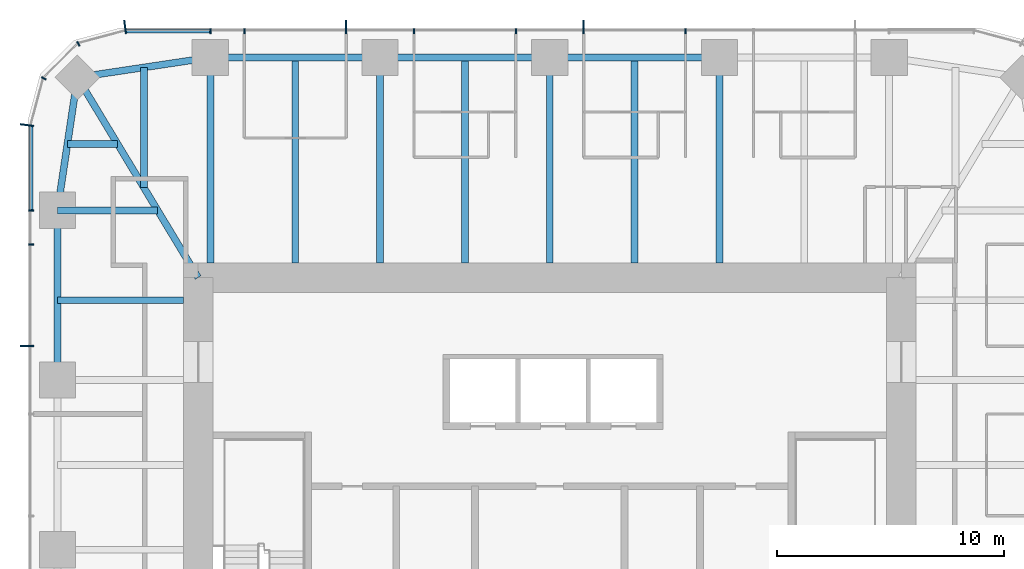
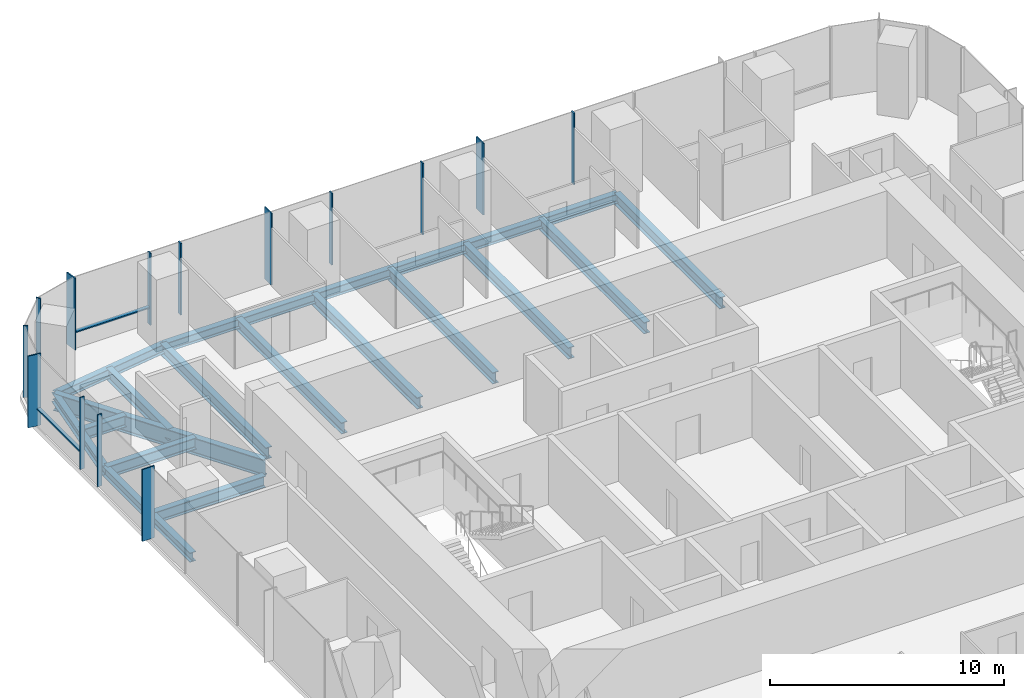
# One storey, part 5 of 12: 18 beams, 16 members, 3 elements without a shape of their own.
"""IFC4 building model written with IfcOpenShell, lengths in metres."""

from ifc_helpers import new_model, si_unit, direction, frame, origin, origin_2d, place, context, subcontext, project, spatial, rectangle, i_section, extrude, material, material_profile, profile_set, type_object, element, aggregate, save


model = new_model("IFC4")

# Units and contexts
model_context = context("Model", 3, precision=1e-05, world=origin(), true_north=direction((0.0, 1.0)))
body_context = subcontext(model_context, "Body", "Model", "MODEL_VIEW")
ifc_project = project(units=[si_unit("LENGTHUNIT", "METRE"), si_unit("AREAUNIT", "SQUARE_METRE"), si_unit("VOLUMEUNIT", "CUBIC_METRE"), si_unit("PLANEANGLEUNIT", "RADIAN"), si_unit("MASSUNIT", "GRAM", prefix="KILO")], contexts=[model_context])

# Site, building, storey
site_placement = place(None, origin())
site = spatial("IfcSite", under=ifc_project, at=site_placement, CompositionType="ELEMENT")
building_placement = place(site_placement, origin())
building = spatial("IfcBuilding", under=site, at=building_placement, Name="Khuree Lantern Residences", CompositionType="ELEMENT")
storey_placement = place(building_placement, frame((0.0, 0.0, 342.0)))
storey = spatial("IfcBuildingStorey", under=building, at=storey_placement, Name="L86", CompositionType="ELEMENT", Elevation=342.0)

# Beams
ifc_material_1 = material(Name="Steel S355", Category="steel")
ifc_material_profile_1 = material_profile(ifc_material_1, i_section(OverallWidth=0.300048828125, OverallDepth=0.590087890625, WebThickness=0.012939453125, FlangeThickness=0.02490234375, FilletRadius=0.027099609375, at=origin_2d()), Name="HE 600 A")
ifc_profile_set_1 = profile_set([ifc_material_profile_1], Name="Steel S355")
beam_type_1 = type_object("IfcBeamType", Name="B-45 SECONDARY BEAM HE 600 A", PredefinedType="BEAM", material=ifc_profile_set_1)
for number, where, z_axis, x_axis, name in (
    (1, (-11.219970703125, 21.699951171875, -0.544921875), (0.0, -1.0, 0.0), (1.0, 0.0, 0.0), "Secondary beam N1"),
    (2, (-3.739990234375, 21.699951171875, -0.544921875), (0.0, -1.0, 0.0), (1.0, 0.0, 0.0), "Secondary beam N2"),
    (3, (3.739990234375, 21.699951171875, -0.544921875), (0.0, -1.0, 0.0), (1.0, 0.0, 0.0), "Secondary beam N3"),
):
    element("IfcBeam", number, at=place(storey_placement, frame(where, z_axis=z_axis, x_axis=x_axis)), inside=storey, type_object=beam_type_1, Name=name, PredefinedType="BEAM", context=body_context, shape_type="SweptSolid", body=[
        extrude(i_section(OverallWidth=0.300048828125, OverallDepth=0.590087890625, WebThickness=0.012939453125, FlangeThickness=0.02490234375, FilletRadius=0.027099609375, at=origin_2d()), origin(), (0.0, 0.0, 1.0), 9.050048828125),
    ])
beam_1_placement = place(storey_placement, frame((-21.699951171875, 11.0, -0.544921875), z_axis=(1.0, 0.0, 0.0), x_axis=(0.0, 1.0, 0.0)))
element("IfcBeam", 4, at=beam_1_placement, inside=storey, type_object=beam_type_1, Name="Secondary beam W5", PredefinedType="BEAM", context=body_context, shape_type="SweptSolid", body=[
    extrude(i_section(OverallWidth=0.300048828125, OverallDepth=0.590087890625, WebThickness=0.012939453125, FlangeThickness=0.02490234375, FilletRadius=0.027099609375, at=origin_2d()), origin(), (0.0, 0.0, 1.0), 5.550048828125),
])
beam_2_placement = place(storey_placement, frame((-21.2607421875, 17.890625, -0.544921875), z_axis=(1.0, 0.0, 0.0), x_axis=(0.0, 1.0, 0.0)))
element("IfcBeam", 5, at=beam_2_placement, inside=storey, type_object=beam_type_1, Name="Secondary beam W6", PredefinedType="BEAM", context=body_context, shape_type="SweptSolid", body=[
    extrude(i_section(OverallWidth=0.300048828125, OverallDepth=0.590087890625, WebThickness=0.012939453125, FlangeThickness=0.02490234375, FilletRadius=0.027099609375, at=origin_2d()), origin(), (0.0, 0.0, 1.0), 2.207275390625),
])
beam_3_placement = place(storey_placement, frame((-17.890625, 21.2607421875, -0.544921875), z_axis=(0.0, -1.0, 0.0), x_axis=(1.0, 0.0, 0.0)))
element("IfcBeam", 6, at=beam_3_placement, inside=storey, type_object=beam_type_1, Name="Secondary beam N6", PredefinedType="BEAM", context=body_context, shape_type="SweptSolid", body=[
    extrude(i_section(OverallWidth=0.300048828125, OverallDepth=0.590087890625, WebThickness=0.012939453125, FlangeThickness=0.02490234375, FilletRadius=0.027099609375, at=origin_2d()), origin(), (0.0, 0.0, 1.0), 5.297607421875),
])
ifc_material_profile_2 = material_profile(ifc_material_1, i_section(OverallWidth=0.300048828125, OverallDepth=0.489990234375, WebThickness=0.011962890625, FlangeThickness=0.02294921875, FilletRadius=0.027099609375, at=origin_2d()), Name="HE 500 A")
ifc_profile_set_2 = profile_set([ifc_material_profile_2], Name="Steel S355")
beam_type_2 = type_object("IfcBeamType", Name="E-45 SPANDREL BEAM HE 500 A", PredefinedType="SPANDREL", material=ifc_profile_set_2)
for number, where, z_axis, x_axis, name in (
    (7, (-14.9599609375, 21.699951171875, -0.4951171875), (1.0, 0.0, 0.0), (0.0, 1.0, 0.0), "Spandrel beam N1"),
    (8, (-7.47998046875, 21.699951171875, -0.4951171875), (1.0, 0.0, 0.0), (0.0, 1.0, 0.0), "Spandrel beam N2"),
    (9, (0.0, 21.699951171875, -0.4951171875), (1.0, 0.0, 0.0), (0.0, 1.0, 0.0), "Spandrel beam N3"),
    (10, (-21.699951171875, 7.47998046875, -0.4951171875), (0.0, 1.0, 0.0), (-1.0, 0.0, 0.0), "Spandrel beam W5"),
):
    element("IfcBeam", number, at=place(storey_placement, frame(where, z_axis=z_axis, x_axis=x_axis)), inside=storey, type_object=beam_type_2, Name=name, PredefinedType="SPANDREL", context=body_context, shape_type="SweptSolid", body=[
        extrude(i_section(OverallWidth=0.300048828125, OverallDepth=0.489990234375, WebThickness=0.011962890625, FlangeThickness=0.02294921875, FilletRadius=0.027099609375, at=origin_2d()), origin(), (0.0, 0.0, 1.0), 7.47998046875),
    ])
for number, where, z_axis, x_axis, name in (
    (11, (-21.699951171875, 14.9599609375, -0.4951171875), (0.148251822985, 0.988949643299, 0.0), (-0.988949643299, 0.148251822985, 0.0), "Spandrel beam W6"),
    (12, (-20.8212890625, 20.8212890625, -0.4951171875), (0.988949643299, 0.148251822985, 0.0), (-0.148251822985, 0.988949643299, 0.0), "Spandrel beam N6"),
):
    element("IfcBeam", number, at=place(storey_placement, frame(where, z_axis=z_axis, x_axis=x_axis)), inside=storey, type_object=beam_type_2, Name=name, PredefinedType="SPANDREL", context=body_context, shape_type="SweptSolid", body=[
        extrude(i_section(OverallWidth=0.300048828125, OverallDepth=0.489990234375, WebThickness=0.011962890625, FlangeThickness=0.02294921875, FilletRadius=0.027099609375, at=origin_2d()), origin(), (0.0, 0.0, 1.0), 5.9267578125),
    ])

# Curtain wall, members
ifc_material_2 = material(Name="Bronze anodised aluminium", Category="aluminium")
curtain_wall_type_1 = type_object("IfcCurtainWallType", Name="CW-T1 TOWER FACE CURTAIN WALL", PredefinedType="USERDEFINED", material=ifc_material_2)
curtain_wall_1_placement = place(storey_placement, origin())
curtain_wall_1 = element("IfcCurtainWall", 13, at=curtain_wall_1_placement, inside=storey, type_object=curtain_wall_type_1, Name="L86 NORTH FACE CURTAIN WALL", ObjectType="Stick-built curtain wall", PredefinedType="USERDEFINED")
ifc_material_profile_3 = material_profile(ifc_material_2, rectangle(XDim=0.06494140625, YDim=0.60009765625, at=origin_2d()), Name="F1 65X600")
ifc_profile_set_3 = profile_set([ifc_material_profile_3], Name="Bronze anodised aluminium")
member_type_1 = type_object("IfcMemberType", Name="F1 BRONZE FIN MULLION TOWER 65X600", PredefinedType="MULLION", material=ifc_profile_set_3)
member_1_placement = place(storey_placement, frame((1.49609375, 23.050048828125, 0.0), z_axis=(0.0, 0.0, 1.0), x_axis=(-1.0, 0.0, 0.0)))
member_1 = element("IfcMember", 14, at=member_1_placement, type_object=member_type_1, Name="L86 NORTH FACE FIN MULLION 23", PredefinedType="MULLION", context=body_context, shape_type="SweptSolid", body=[
    extrude(rectangle(XDim=0.06494140625, YDim=0.60009765625, at=origin_2d()), origin(), (0.0, 0.0, 1.0), 3.75),
])
member_2_placement = place(storey_placement, frame((-8.97607421875, 23.050048828125, 0.0), z_axis=(0.0, 0.0, 1.0), x_axis=(-1.0, 0.0, 0.0)))
member_2 = element("IfcMember", 15, at=member_2_placement, type_object=member_type_1, Name="L86 NORTH FACE FIN MULLION 26", PredefinedType="MULLION", context=body_context, shape_type="SweptSolid", body=[
    extrude(rectangle(XDim=0.06494140625, YDim=0.60009765625, at=origin_2d()), origin(), (0.0, 0.0, 1.0), 3.75),
])

# Curtain wall, member
curtain_wall_type_2 = type_object("IfcCurtainWallType", Name="CW-T2 TOWER CORNER CURTAIN WALL", PredefinedType="USERDEFINED", material=ifc_material_2)
curtain_wall_2_placement = place(storey_placement, origin())
curtain_wall_2 = element("IfcCurtainWall", 16, at=curtain_wall_2_placement, inside=storey, type_object=curtain_wall_type_2, Name="L86 NORTH-WEST CORNER CURTAIN WALL", ObjectType="Faceted corner curtain wall", PredefinedType="USERDEFINED")
member_3_placement = place(storey_placement, frame((-18.7197265625, 23.050048828125, 0.0), z_axis=(0.0, 0.0, 1.0), x_axis=(-0.991444870192, -0.130526125236, 0.0)))
member_3 = element("IfcMember", 17, at=member_3_placement, type_object=member_type_1, Name="L86 NORTH-WEST CORNER FIN MULLION 29", PredefinedType="MULLION", context=body_context, shape_type="SweptSolid", body=[
    extrude(rectangle(XDim=0.06494140625, YDim=0.60009765625, at=origin_2d()), origin(), (0.0, 0.0, 1.0), 3.75),
])

# Curtain wall, members
curtain_wall_3_placement = place(storey_placement, origin())
curtain_wall_3 = element("IfcCurtainWall", 18, at=curtain_wall_3_placement, inside=storey, type_object=curtain_wall_type_1, Name="L86 WEST FACE CURTAIN WALL", ObjectType="Stick-built curtain wall", PredefinedType="USERDEFINED")
member_4_placement = place(storey_placement, frame((-23.050048828125, 18.7197265625, 0.0), z_axis=(0.0, 0.0, 1.0), x_axis=(-0.130526125236, -0.991444870192, 0.0)))
member_4 = element("IfcMember", 19, at=member_4_placement, type_object=member_type_1, Name="L86 WEST FACE FIN MULLION 32", PredefinedType="MULLION", context=body_context, shape_type="SweptSolid", body=[
    extrude(rectangle(XDim=0.06494140625, YDim=0.60009765625, at=origin_2d()), origin(), (0.0, 0.0, 1.0), 3.75),
])
member_5_placement = place(storey_placement, frame((-23.050048828125, 8.97607421875, 0.0), z_axis=(0.0, 0.0, 1.0), x_axis=(0.0, -1.0, 0.0)))
member_5 = element("IfcMember", 20, at=member_5_placement, type_object=member_type_1, Name="L86 WEST FACE FIN MULLION 35", PredefinedType="MULLION", context=body_context, shape_type="SweptSolid", body=[
    extrude(rectangle(XDim=0.06494140625, YDim=0.60009765625, at=origin_2d()), origin(), (0.0, 0.0, 1.0), 3.75),
])

# Beams
ifc_material_profile_4 = material_profile(ifc_material_1, i_section(OverallWidth=0.300048828125, OverallDepth=0.60009765625, WebThickness=0.015380859375, FlangeThickness=0.030029296875, FilletRadius=0.027099609375, at=origin_2d()), Name="HE 600 B")
ifc_profile_set_4 = profile_set([ifc_material_profile_4], Name="Steel S355")
beam_type_3 = type_object("IfcBeamType", Name="G-45 GIRDER HE 600 B", PredefinedType="BEAM", material=ifc_profile_set_4)
for number, where, z_axis, x_axis, name in (
    (21, (-14.9599609375, 21.699951171875, -0.550048828125), (0.0, -1.0, 0.0), (1.0, 0.0, 0.0), "Girder N1"),
    (22, (-7.47998046875, 21.699951171875, -0.550048828125), (0.0, -1.0, 0.0), (1.0, 0.0, 0.0), "Girder N2"),
    (23, (0.0, 21.699951171875, -0.550048828125), (0.0, -1.0, 0.0), (1.0, 0.0, 0.0), "Girder N3"),
    (24, (7.47998046875, 21.699951171875, -0.550048828125), (0.0, -1.0, 0.0), (1.0, 0.0, 0.0), "Girder N4"),
):
    element("IfcBeam", number, at=place(storey_placement, frame(where, z_axis=z_axis, x_axis=x_axis)), inside=storey, type_object=beam_type_3, Name=name, PredefinedType="BEAM", context=body_context, shape_type="SweptSolid", body=[
        extrude(i_section(OverallWidth=0.300048828125, OverallDepth=0.60009765625, WebThickness=0.015380859375, FlangeThickness=0.030029296875, FilletRadius=0.027099609375, at=origin_2d()), origin(), (0.0, 0.0, 1.0), 9.050048828125),
    ])
beam_4_placement = place(storey_placement, frame((-21.699951171875, 14.9599609375, -0.550048828125), z_axis=(1.0, 0.0, 0.0), x_axis=(0.0, 1.0, 0.0)))
element("IfcBeam", 25, at=beam_4_placement, inside=storey, type_object=beam_type_3, Name="Girder W5", PredefinedType="BEAM", context=body_context, shape_type="SweptSolid", body=[
    extrude(i_section(OverallWidth=0.300048828125, OverallDepth=0.60009765625, WebThickness=0.015380859375, FlangeThickness=0.030029296875, FilletRadius=0.027099609375, at=origin_2d()), origin(), (0.0, 0.0, 1.0), 4.414306640625),
])
ifc_material_profile_5 = material_profile(ifc_material_1, i_section(OverallWidth=0.300048828125, OverallDepth=0.89990234375, WebThickness=0.0185546875, FlangeThickness=0.034912109375, FilletRadius=0.030029296875, at=origin_2d()), Name="HE 900 B")
ifc_profile_set_5 = profile_set([ifc_material_profile_5], Name="Steel S355")
beam_type_4 = type_object("IfcBeamType", Name="GD-45 CORNER GIRDER HE 900 B", PredefinedType="BEAM", material=ifc_profile_set_5)
beam_5_placement = place(storey_placement, frame((-20.8212890625, 20.8212890625, -0.699951171875), z_axis=(0.516529577604, -0.856269347495, 0.0), x_axis=(0.856269347495, 0.516529577604, 0.0)))
element("IfcBeam", 26, at=beam_5_placement, inside=storey, type_object=beam_type_4, Name="Corner girder NW", PredefinedType="BEAM", context=body_context, shape_type="SweptSolid", body=[
    extrude(i_section(OverallWidth=0.300048828125, OverallDepth=0.89990234375, WebThickness=0.0185546875, FlangeThickness=0.034912109375, FilletRadius=0.030029296875, at=origin_2d()), origin(), (0.0, 0.0, 1.0), 10.302001953125),
])

# Member
ifc_material_profile_6 = material_profile(ifc_material_2, rectangle(XDim=0.06494140625, YDim=0.219970703125, at=origin_2d()), Name="M1 65X220")
ifc_profile_set_6 = profile_set([ifc_material_profile_6], Name="Bronze anodised aluminium")
member_type_2 = type_object("IfcMemberType", Name="M1 BRONZE MULLION TOWER 65X220", PredefinedType="MULLION", material=ifc_profile_set_6)
member_6_placement = place(storey_placement, frame((5.98388671875, 22.860107421875, 0.0), z_axis=(0.0, 0.0, 1.0), x_axis=(-1.0, 0.0, 0.0)))
member_6 = element("IfcMember", 27, at=member_6_placement, type_object=member_type_2, Name="L86 NORTH FACE MULLION 22", PredefinedType="MULLION", context=body_context, shape_type="SweptSolid", body=[
    extrude(rectangle(XDim=0.06494140625, YDim=0.219970703125, at=origin_2d()), origin(), (0.0, 0.0, 1.0), 3.75),
])

member_7_placement = place(storey_placement, frame((-1.49609375, 22.860107421875, 0.0), z_axis=(0.0, 0.0, 1.0), x_axis=(-1.0, 0.0, 0.0)))
member_7 = element("IfcMember", 28, at=member_7_placement, type_object=member_type_2, Name="L86 NORTH FACE MULLION 24", PredefinedType="MULLION", context=body_context, shape_type="SweptSolid", body=[
    extrude(rectangle(XDim=0.06494140625, YDim=0.219970703125, at=origin_2d()), origin(), (0.0, 0.0, 1.0), 3.75),
])

member_8_placement = place(storey_placement, frame((-5.98388671875, 22.860107421875, 0.0), z_axis=(0.0, 0.0, 1.0), x_axis=(-1.0, 0.0, 0.0)))
member_8 = element("IfcMember", 29, at=member_8_placement, type_object=member_type_2, Name="L86 NORTH FACE MULLION 25", PredefinedType="MULLION", context=body_context, shape_type="SweptSolid", body=[
    extrude(rectangle(XDim=0.06494140625, YDim=0.219970703125, at=origin_2d()), origin(), (0.0, 0.0, 1.0), 3.75),
])

member_9_placement = place(storey_placement, frame((-13.464111328125, 22.860107421875, 0.0), z_axis=(0.0, 0.0, 1.0), x_axis=(-1.0, 0.0, 0.0)))
member_9 = element("IfcMember", 30, at=member_9_placement, type_object=member_type_2, Name="L86 NORTH FACE MULLION 27", PredefinedType="MULLION", context=body_context, shape_type="SweptSolid", body=[
    extrude(rectangle(XDim=0.06494140625, YDim=0.219970703125, at=origin_2d()), origin(), (0.0, 0.0, 1.0), 3.75),
])

member_10_placement = place(storey_placement, frame((-14.9599609375, 22.860107421875, 0.0), z_axis=(0.0, 0.0, 1.0), x_axis=(-1.0, 0.0, 0.0)))
member_10 = element("IfcMember", 31, at=member_10_placement, type_object=member_type_2, Name="L86 NORTH FACE MULLION 28", PredefinedType="MULLION", context=body_context, shape_type="SweptSolid", body=[
    extrude(rectangle(XDim=0.06494140625, YDim=0.219970703125, at=origin_2d()), origin(), (0.0, 0.0, 1.0), 3.75),
])

member_11_placement = place(storey_placement, frame((-20.780029296875, 22.302734375, 0.0), z_axis=(0.0, 0.0, 1.0), x_axis=(-0.866025437565, -0.49999994149, 0.0)))
member_11 = element("IfcMember", 32, at=member_11_placement, type_object=member_type_2, Name="L86 NORTH-WEST CORNER MULLION 30", PredefinedType="MULLION", context=body_context, shape_type="SweptSolid", body=[
    extrude(rectangle(XDim=0.06494140625, YDim=0.219970703125, at=origin_2d()), origin(), (0.0, 0.0, 1.0), 3.75),
])

member_12_placement = place(storey_placement, frame((-22.302734375, 20.780029296875, 0.0), z_axis=(0.0, 0.0, 1.0), x_axis=(-0.49999994149, -0.866025437565, 0.0)))
member_12 = element("IfcMember", 33, at=member_12_placement, type_object=member_type_2, Name="L86 NORTH-WEST CORNER MULLION 31", PredefinedType="MULLION", context=body_context, shape_type="SweptSolid", body=[
    extrude(rectangle(XDim=0.06494140625, YDim=0.219970703125, at=origin_2d()), origin(), (0.0, 0.0, 1.0), 3.75),
])

aggregate(curtain_wall_2, [member_3, member_11, member_12])

member_13_placement = place(storey_placement, frame((-22.860107421875, 14.9599609375, 0.0), z_axis=(0.0, 0.0, 1.0), x_axis=(0.0, -1.0, 0.0)))
member_13 = element("IfcMember", 34, at=member_13_placement, type_object=member_type_2, Name="L86 WEST FACE MULLION 33", PredefinedType="MULLION", context=body_context, shape_type="SweptSolid", body=[
    extrude(rectangle(XDim=0.06494140625, YDim=0.219970703125, at=origin_2d()), origin(), (0.0, 0.0, 1.0), 3.75),
])

member_14_placement = place(storey_placement, frame((-22.860107421875, 13.464111328125, 0.0), z_axis=(0.0, 0.0, 1.0), x_axis=(0.0, -1.0, 0.0)))
member_14 = element("IfcMember", 35, at=member_14_placement, type_object=member_type_2, Name="L86 WEST FACE MULLION 34", PredefinedType="MULLION", context=body_context, shape_type="SweptSolid", body=[
    extrude(rectangle(XDim=0.06494140625, YDim=0.219970703125, at=origin_2d()), origin(), (0.0, 0.0, 1.0), 3.75),
])

ifc_material_profile_7 = material_profile(ifc_material_2, rectangle(XDim=0.179931640625, YDim=0.06494140625, at=origin_2d()), Name="T1 180X65")
ifc_profile_set_7 = profile_set([ifc_material_profile_7], Name="Bronze anodised aluminium")
member_type_3 = type_object("IfcMemberType", Name="TRANSOM T1 TOWER 180X65", PredefinedType="USERDEFINED", material=ifc_profile_set_7)
member_15_placement = place(storey_placement, frame((-14.992431640625, 22.8701171875, 0.89990234375), z_axis=(-1.0, 0.0, 0.0), x_axis=(0.0, -1.0, 0.0)))
member_15 = element("IfcMember", 36, at=member_15_placement, type_object=member_type_3, Name="L86 NORTH FACE TRANSOM 28.1", ObjectType="Transom", PredefinedType="USERDEFINED", context=body_context, shape_type="SweptSolid", body=[
    extrude(rectangle(XDim=0.179931640625, YDim=0.06494140625, at=origin_2d()), origin(), (0.0, 0.0, 1.0), 3.658935546875),
])

aggregate(curtain_wall_1, [member_6, member_1, member_7, member_8, member_2, member_9, member_10, member_15])

member_16_placement = place(storey_placement, frame((-22.8701171875, 18.6513671875, 0.89990234375), z_axis=(0.0, -1.0, 0.0), x_axis=(1.0, 0.0, 0.0)))
member_16 = element("IfcMember", 37, at=member_16_placement, type_object=member_type_3, Name="L86 WEST FACE TRANSOM 32.1", ObjectType="Transom", PredefinedType="USERDEFINED", context=body_context, shape_type="SweptSolid", body=[
    extrude(rectangle(XDim=0.179931640625, YDim=0.06494140625, at=origin_2d()), origin(), (0.0, 0.0, 1.0), 3.658935546875),
])

aggregate(curtain_wall_3, [member_4, member_13, member_14, member_5, member_16])

save(model, "model.ifc")
